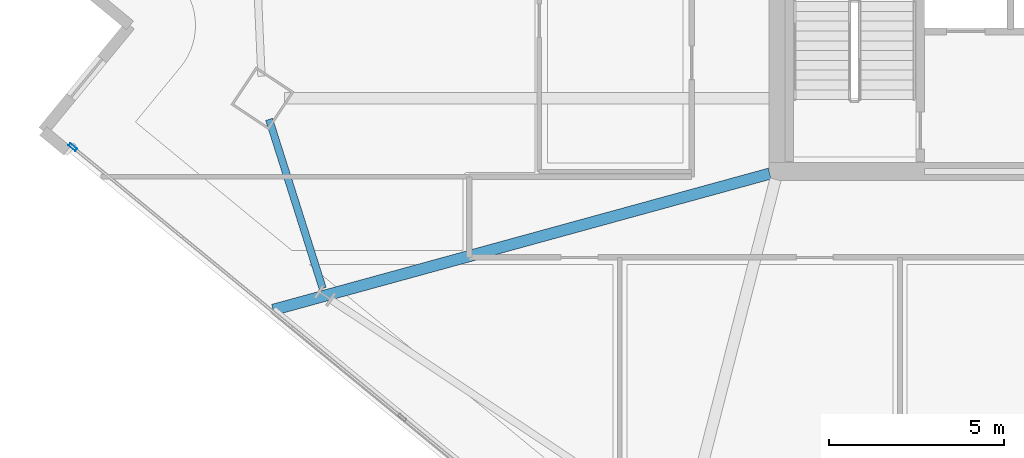
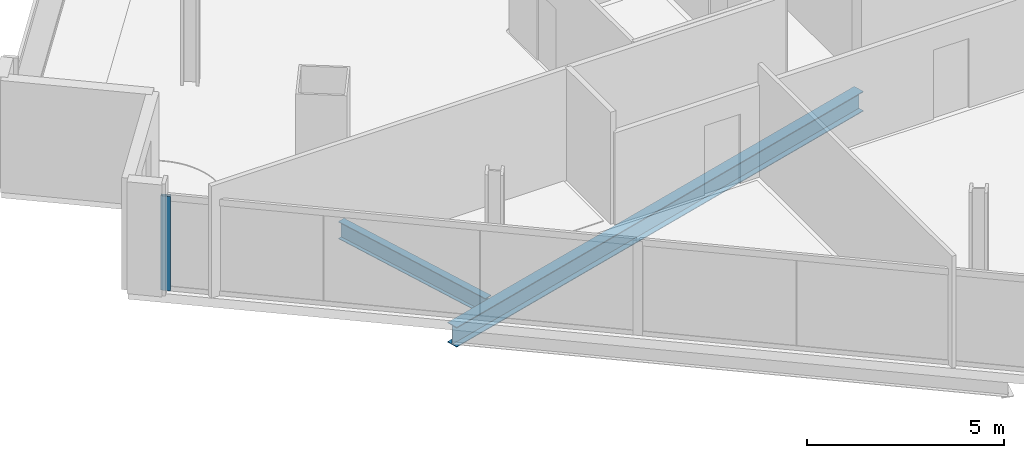
# One storey, part 5 of 28: 2 beams, 1 member, 1 element without a shape of its own.
"""IFC4 building model written with IfcOpenShell, lengths in metres."""

from ifc_helpers import new_model, si_unit, direction, frame, origin, origin_2d, place, context, subcontext, project, spatial, hollow_rectangle, i_section, extrude, material, material_profile, profile_set, type_object, element, aggregate, save


model = new_model("IFC4")

# Units and contexts
model_context = context("Model", 3, precision=1e-05, world=origin(), true_north=direction((0.0, 1.0)))
body_context = subcontext(model_context, "Body", "Model", "MODEL_VIEW")
ifc_project = project(units=[si_unit("LENGTHUNIT", "METRE"), si_unit("AREAUNIT", "SQUARE_METRE"), si_unit("VOLUMEUNIT", "CUBIC_METRE"), si_unit("PLANEANGLEUNIT", "RADIAN"), si_unit("MASSUNIT", "GRAM", prefix="KILO")], contexts=[model_context])

# Site, building, storey
site_placement = place(None, origin())
site = spatial("IfcSite", under=ifc_project, at=site_placement, CompositionType="ELEMENT")
building_placement = place(site_placement, origin())
building = spatial("IfcBuilding", under=site, at=building_placement, Name="Haldenkirk Collegiate Tower", CompositionType="ELEMENT")
storey_placement = place(building_placement, frame((0.0, 0.0, 198.449951171875)))
storey = spatial("IfcBuildingStorey", under=building, at=storey_placement, Name="L49", CompositionType="ELEMENT", Elevation=198.449951171875)

# Beams
ifc_material_1 = material(Name="Steel ASTM A992 Grade 50", Category="steel")
ifc_material_profile_1 = material_profile(ifc_material_1, i_section(OverallWidth=0.324951171875, OverallDepth=0.615966796875, WebThickness=0.013916015625, FlangeThickness=0.021484375, at=origin_2d()), Name="W24X117")
ifc_profile_set_1 = profile_set([ifc_material_profile_1], Name="Steel ASTM A992 Grade 50")
beam_type_1 = type_object("IfcBeamType", Name="BM-GIRDER-W24X117", PredefinedType="BEAM", material=ifc_profile_set_1)
beam_1_placement = place(storey_placement, frame((12.60888671875, 14.051513671875, -0.587890625), z_axis=(0.964360073015, 0.264593366461, 0.0), x_axis=(-0.264593366461, 0.964360073015, 0.0)))
element("IfcBeam", 1, at=beam_1_placement, inside=storey, type_object=beam_type_1, Name="L49 primary floor girder 14", PredefinedType="BEAM", context=body_context, shape_type="SweptSolid", body=[
    extrude(i_section(OverallWidth=0.324951171875, OverallDepth=0.615966796875, WebThickness=0.013916015625, FlangeThickness=0.021484375, at=origin_2d()), origin(), (0.0, 0.0, 1.0), 14.693115234375),
])
ifc_material_profile_2 = material_profile(ifc_material_1, i_section(OverallWidth=0.2099609375, OverallDepth=0.537109375, WebThickness=0.010986328125, FlangeThickness=0.017333984375, at=origin_2d()), Name="W21X68")
ifc_profile_set_2 = profile_set([ifc_material_profile_2], Name="Steel ASTM A992 Grade 50")
beam_type_2 = type_object("IfcBeamType", Name="BM-SPANDREL-W21X68", PredefinedType="SPANDREL", material=ifc_profile_set_2)
beam_2_placement = place(storey_placement, frame((12.494873046875, 19.489013671875, -0.54833984375), z_axis=(0.301937009704, -0.95332787758, 0.0), x_axis=(0.95332787758, 0.301937009704, 0.0)))
element("IfcBeam", 2, at=beam_2_placement, inside=storey, type_object=beam_type_2, Name="L49 perimeter spandrel beam 13", PredefinedType="SPANDREL", context=body_context, shape_type="SweptSolid", body=[
    extrude(i_section(OverallWidth=0.2099609375, OverallDepth=0.537109375, WebThickness=0.010986328125, FlangeThickness=0.017333984375, at=origin_2d()), origin(), (0.0, 0.0, 1.0), 5.060791015625),
])

# Curtain wall, member
ifc_material_2 = material(Name="Anodised architectural bronze aluminium", Category="aluminium")
curtain_wall_type = type_object("IfcCurtainWallType", Name="CW-SYS1B-CONVEX-HI", PredefinedType="USERDEFINED", material=ifc_material_2)
curtain_wall_placement = place(storey_placement, origin())
curtain_wall = element("IfcCurtainWall", 3, at=curtain_wall_placement, inside=storey, type_object=curtain_wall_type, Name="L49 Upper tower high-wind convex bronze unitised curtain wall", ObjectType="UNITISED CURTAIN WALL", PredefinedType="USERDEFINED")
ifc_material_profile_3 = material_profile(ifc_material_2, hollow_rectangle(XDim=0.0849609375, YDim=0.25, WallThickness=0.0048828125, at=origin_2d()), Name="CW-MUL-1B")
ifc_profile_set_3 = profile_set([ifc_material_profile_3], Name="Anodised architectural bronze aluminium")
member_type = type_object("IfcMemberType", Name="CW-MUL-1B", PredefinedType="MULLION", material=ifc_profile_set_3)
member_placement = place(storey_placement, frame((6.891357421875, 18.6962890625, 0.0), z_axis=(0.0, 0.0, 1.0), x_axis=(-0.634730275566, -0.772733768694, 0.0)))
member = element("IfcMember", 4, at=member_placement, type_object=member_type, Name="CW-1B mullion 4", PredefinedType="MULLION", context=body_context, shape_type="SweptSolid", body=[
    extrude(hollow_rectangle(XDim=0.0849609375, YDim=0.25, WallThickness=0.0048828125, at=origin_2d()), origin(), (0.0, 0.0, 1.0), 2.927978515625),
])
aggregate(curtain_wall, [member])

save(model, "model.ifc")
